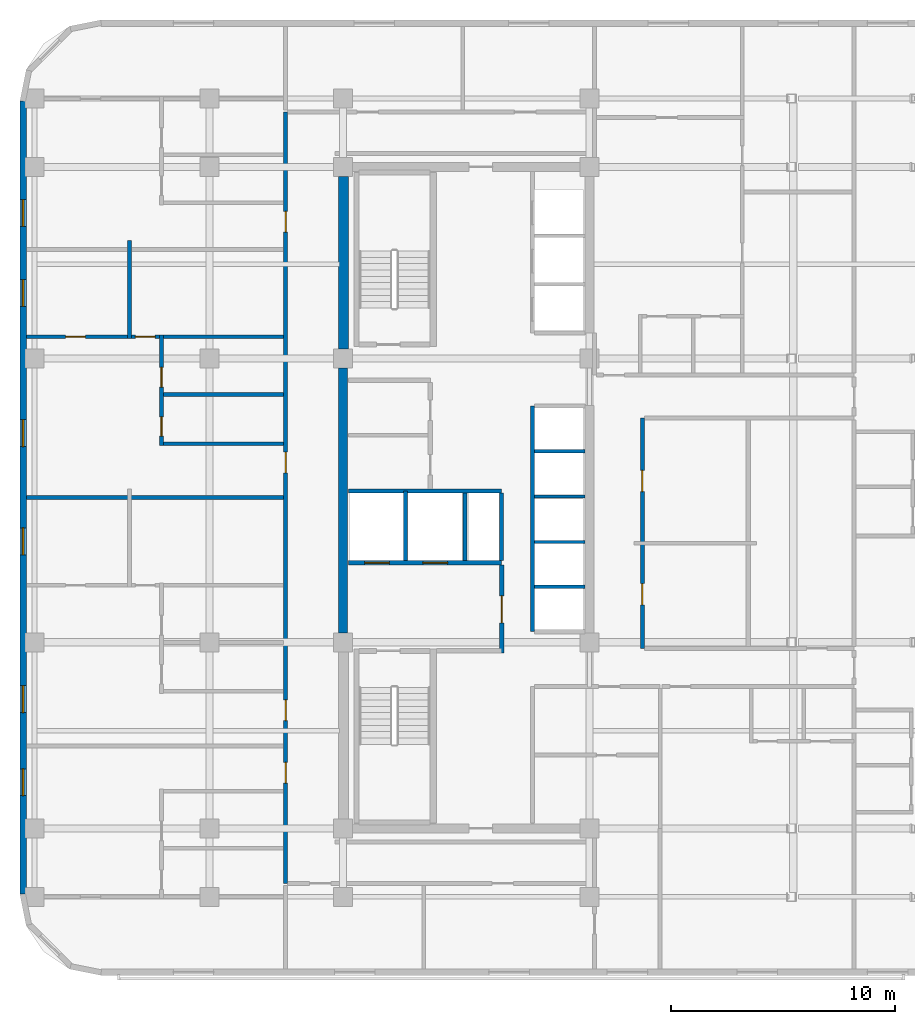
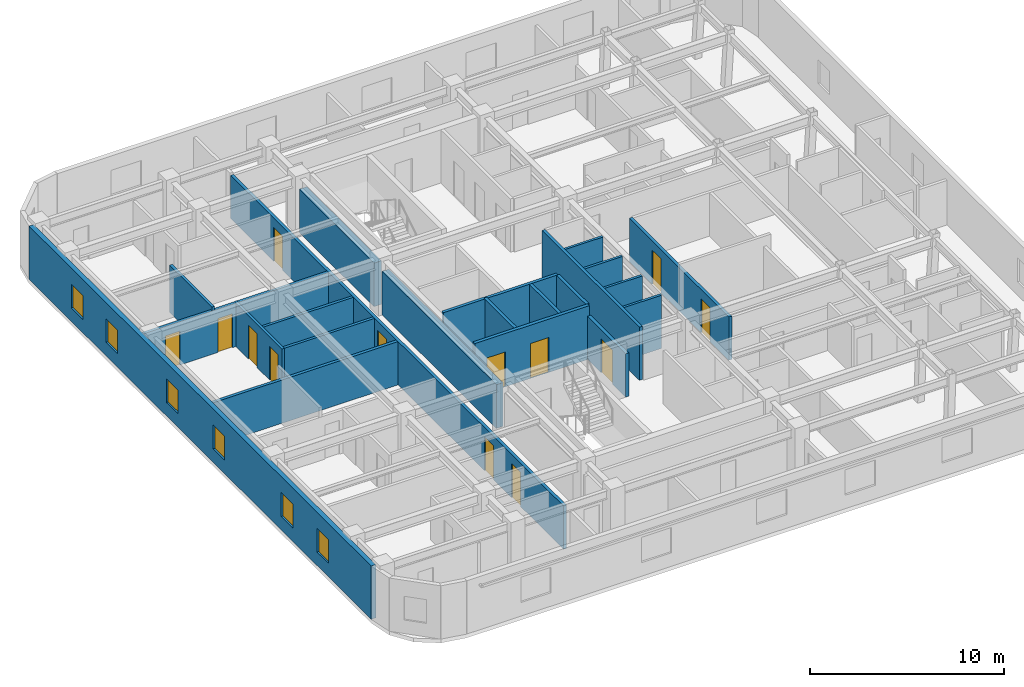
# One storey, part 4 of 11: 22 walls, 13 doors, 6 windows, 19 openings.
"""IFC4 building model written with IfcOpenShell, lengths in metres."""

import ifcopenshell
import ifcopenshell.guid

model = None  # the IFC model being written
_history = None  # IfcOwnerHistory: only IFC2X3 demands one
_inside = {}  # id of a spatial element -> (the spatial element, [elements in it])
_under = {}  # id of a project, library or spatial element -> (it, [spatial elements below it])
_declared = {}  # id of a project -> (the project, [libraries it declares])
_typed = {}  # id of a type object -> (the type object, [elements of that type])
_made_of = {}  # id of a material, layer set ... -> (it, [elements and type objects made of it])


def new_model(schema):
    """Start an empty IFC model of exactly this schema.

    Asked for "IFC4X3", IfcOpenShell would pick the latest addendum, in which some entities
    have other attributes; the version numbers below select the first issue.
    IFC2X3 requires an IfcOwnerHistory on every rooted entity: one is made here for all.
    """
    global model, _history
    if schema == "IFC4X3":
        model = ifcopenshell.file(schema_version=(4, 3, 0, 0))
    else:
        model = ifcopenshell.file(schema=schema)
    _inside.clear()
    _under.clear()
    _declared.clear()
    _typed.clear()
    _made_of.clear()
    _history = None
    if model.schema == "IFC2X3":
        org = make("IfcOrganization", Name="unknown")
        user = make(
            "IfcPersonAndOrganization",
            ThePerson=make("IfcPerson", FamilyName="unknown"),
            TheOrganization=org,
        )
        app = make(
            "IfcApplication",
            ApplicationDeveloper=org,
            Version="unknown",
            ApplicationFullName="unknown",
            ApplicationIdentifier="unknown",
        )
        _history = make(
            "IfcOwnerHistory",
            OwningUser=user,
            OwningApplication=app,
            ChangeAction="ADDED",
            CreationDate=0,
        )
    return model


def make(cls, **values):
    """One entity of the class cls with the attributes given. An attribute that is None is left unset."""
    return model.create_entity(
        cls, **{name: value for name, value in values.items() if value is not None}
    )


def rooted(cls, **values):
    """An entity with a GlobalId (a new one), such as an element, a storey or a relation."""
    return make(cls, GlobalId=ifcopenshell.guid.new(), OwnerHistory=_history, **values)


def si_unit(unit_type, name, prefix=None):
    """IfcSIUnit, for example si_unit("LENGTHUNIT", "METRE", prefix="MILLI")."""
    return make("IfcSIUnit", UnitType=unit_type, Prefix=prefix, Name=name)


def assignment(units):
    """IfcUnitAssignment: the units of a project."""
    return None if units is None else make("IfcUnitAssignment", Units=units)


def point(xyz):
    """IfcCartesianPoint."""
    return None if xyz is None else make("IfcCartesianPoint", Coordinates=xyz)


def direction(xyz):
    """IfcDirection."""
    return None if xyz is None else make("IfcDirection", DirectionRatios=xyz)


def frame(location, z_axis=None, x_axis=None):
    """IfcAxis2Placement3D, a coordinate frame: its origin and axes. An axis left out is left unset."""
    return make(
        "IfcAxis2Placement3D",
        Location=point(location),
        Axis=direction(z_axis),
        RefDirection=direction(x_axis),
    )


def frame_2d(location, x_axis=None):
    """IfcAxis2Placement2D, a coordinate frame in the plane: its origin and x axis."""
    return make(
        "IfcAxis2Placement2D", Location=point(location), RefDirection=direction(x_axis)
    )


def origin():
    """The frame at (0, 0, 0) with its axes left unset."""
    return frame((0.0, 0.0, 0.0))


def place(relative_to, where):
    """IfcLocalPlacement: puts the frame where relative to a parent placement (None: the world)."""
    return make(
        "IfcLocalPlacement", PlacementRelTo=relative_to, RelativePlacement=where
    )


def context(
    kind, dimensions, precision=None, world=None, true_north=None, identifier=None
):
    """IfcGeometricRepresentationContext, for example the 3D "Model" context."""
    return make(
        "IfcGeometricRepresentationContext",
        ContextIdentifier=identifier,
        ContextType=kind,
        CoordinateSpaceDimension=dimensions,
        Precision=precision,
        WorldCoordinateSystem=world,
        TrueNorth=true_north,
    )


def subcontext(parent, identifier, kind, view, scale=None):
    """IfcGeometricRepresentationSubContext, for example "Body" below "Model"."""
    return make(
        "IfcGeometricRepresentationSubContext",
        ContextIdentifier=identifier,
        ContextType=kind,
        ParentContext=parent,
        TargetScale=scale,
        TargetView=view,
    )


def project(units=None, contexts=None):
    """IfcProject with its units and contexts."""
    return rooted(
        "IfcProject",
        Name="project",
        RepresentationContexts=contexts,
        UnitsInContext=assignment(units),
    )


def spatial(cls, under=None, at=None, **own):
    """A site, building, storey or space (cls), placed at a placement, below another one or the project."""
    s = rooted(cls, ObjectPlacement=at, **own)
    if under is not None:
        _under.setdefault(under.id(), (under, []))[1].append(s)
    return s


def profile(cls, at=None, kind="AREA", **sizes):
    """A parametric profile (cls). Its sizes go by their IFC names, for example OverallWidth=200.0."""
    return make(cls, ProfileType=kind, Position=at, **sizes)


def rectangle(**sizes):
    """IfcRectangleProfileDef."""
    return profile("IfcRectangleProfileDef", **sizes)


def extrude(swept, where, along, depth):
    """IfcExtrudedAreaSolid: the profile swept, set in the frame where, extruded along a direction by depth."""
    return make(
        "IfcExtrudedAreaSolid",
        SweptArea=swept,
        Position=where,
        ExtrudedDirection=direction(along),
        Depth=depth,
    )


def shape(context_of_items, identifier, shape_type, items):
    """IfcShapeRepresentation: the items that make up one representation, for example the "Body"."""
    return make(
        "IfcShapeRepresentation",
        ContextOfItems=context_of_items,
        RepresentationIdentifier=identifier,
        RepresentationType=shape_type,
        Items=items,
    )


def material(Name=None, Category=None):
    """IfcMaterial."""
    return make("IfcMaterial", Name=Name, Category=Category)


def layer(
    of_material, thickness, ventilated=None, Name=None, Category=None, Priority=None
):
    """IfcMaterialLayer: one layer of a wall or slab, of a material (None: an air gap)."""
    return make(
        "IfcMaterialLayer",
        Material=of_material,
        LayerThickness=thickness,
        IsVentilated=ventilated,
        Name=Name,
        Category=Category,
        Priority=Priority,
    )


def layer_set(layers, Name=None):
    """IfcMaterialLayerSet."""
    return make("IfcMaterialLayerSet", MaterialLayers=layers, LayerSetName=Name)


def made_of(thing, what):
    """Note that an element or type object is made of a material, layer set ...; save() writes the relation."""
    if what is not None:
        _made_of.setdefault(what.id(), (what, []))[1].append(thing)
    return thing


def type_object(cls, material=None, **own):
    """A type object (cls), such as IfcWallType, which elements share."""
    return made_of(rooted(cls, **own), material)


def element(
    cls,
    number,
    at=None,
    inside=None,
    cuts=None,
    type_object=None,
    material=None,
    context=None,
    identifier="Body",
    shape_type=None,
    held_by="IfcProductDefinitionShape",
    body=None,
    shapes=None,
    **own,
):
    """One element of the class cls, such as IfcWall. Its Tag is "e" and its number.

    at: its placement. inside: the storey or other place that contains it. cuts: it is an
    opening in that element (IfcRelVoidsElement). A single representation is given by context,
    identifier, shape_type and body (its items); several are given by shapes. held_by: the class
    of the entity that holds the representations. save() writes the other relations.
    """
    e = rooted(cls, Tag="e%d" % number, ObjectPlacement=at, **own)
    if body is not None:
        shapes = [shape(context, identifier, shape_type, body)]
    if shapes is not None:
        e.Representation = make(held_by, Representations=shapes)
    if inside is not None:
        _inside.setdefault(inside.id(), (inside, []))[1].append(e)
    if cuts is not None:
        rooted(
            "IfcRelVoidsElement", RelatingBuildingElement=cuts, RelatedOpeningElement=e
        )
    if type_object is not None:
        _typed.setdefault(type_object.id(), (type_object, []))[1].append(e)
    return made_of(e, material)


def fill(opening, filler):
    """IfcRelFillsElement: the door or window that sits in an opening."""
    return rooted(
        "IfcRelFillsElement",
        RelatingOpeningElement=opening,
        RelatedBuildingElement=filler,
    )


def aggregate(whole, parts):
    """IfcRelAggregates: a whole, such as a stair, and the parts it consists of."""
    return rooted("IfcRelAggregates", RelatingObject=whole, RelatedObjects=parts)


def save(model, path):
    """Write the relations noted so far, then the file.

    IfcRelAggregates (storeys below a building ...), IfcRelContainedInSpatialStructure (elements
    in a storey), IfcRelDefinesByType, IfcRelAssociatesMaterial and IfcRelDeclares: one each for
    every whole, place, type object, material and project.
    """
    for whole, parts in _under.values():
        aggregate(whole, parts)
    for where, things in _inside.values():
        rooted(
            "IfcRelContainedInSpatialStructure",
            RelatedElements=things,
            RelatingStructure=where,
        )
    for kind, things in _typed.values():
        rooted("IfcRelDefinesByType", RelatedObjects=things, RelatingType=kind)
    for what, things in _made_of.values():
        rooted("IfcRelAssociatesMaterial", RelatedObjects=things, RelatingMaterial=what)
    for by, libraries in _declared.values():
        rooted("IfcRelDeclares", RelatingContext=by, RelatedDefinitions=libraries)
    model.write(path)


model = new_model("IFC4")

# Units and contexts
model_context = context("Model", 3, precision=1e-05, world=origin(), true_north=direction((0.0, 1.0)))
body_context = subcontext(model_context, "Body", "Model", "MODEL_VIEW")
ifc_project = project(units=[si_unit("LENGTHUNIT", "METRE"), si_unit("AREAUNIT", "SQUARE_METRE"), si_unit("VOLUMEUNIT", "CUBIC_METRE"), si_unit("PLANEANGLEUNIT", "RADIAN"), si_unit("MASSUNIT", "GRAM", prefix="KILO")], contexts=[model_context])

# Site, building, storey
site_placement = place(None, origin())
site = spatial("IfcSite", under=ifc_project, at=site_placement, CompositionType="ELEMENT")
building_placement = place(site_placement, origin())
building = spatial("IfcBuilding", under=site, at=building_placement, Name="Ochreholt Gables", CompositionType="ELEMENT")
storey_placement = place(building_placement, frame((0.0, 0.0, 121.199951171875)))
storey = spatial("IfcBuildingStorey", under=building, at=storey_placement, Name="L31", CompositionType="ELEMENT", Elevation=121.199951171875)

# Walls
ifc_material_1 = material(Name="Concrete 60 MPa", Category="concrete")
ifc_layer_1 = layer(ifc_material_1, 0.39990234375, Name="Concrete 60 MPa")
ifc_layer_set_1 = layer_set([ifc_layer_1], Name="Concrete 60 MPa")
wall_type_1 = type_object("IfcWallType", Name="WALL-CSW-400", PredefinedType="SHEAR", material=ifc_layer_set_1)
wall_1_placement = place(storey_placement, frame((24.199951171875, 17.97509765625, 0.0), z_axis=(0.0, 0.0, 1.0), x_axis=(0.0, 1.0, 0.0)))
element("IfcWall", 1, at=wall_1_placement, inside=storey, type_object=wall_type_1, Name="L31 Core West Shear Wall WM", PredefinedType="SHEAR", context=body_context, shape_type="SweptSolid", body=[
    extrude(rectangle(XDim=11.7998046875, YDim=0.39990234375, at=frame_2d((5.89990234375, 0.0))), origin(), (0.0, 0.0, 1.0), 2.7490234375),
])
ifc_layer_2 = layer(ifc_material_1, 0.449951171875, Name="Concrete 60 MPa")
ifc_layer_set_2 = layer_set([ifc_layer_2], Name="Concrete 60 MPa")
wall_type_2 = type_object("IfcWallType", Name="WALL-CSW-450", PredefinedType="SHEAR", material=ifc_layer_set_2)
wall_2_placement = place(storey_placement, frame((24.22509765625, 30.625, 0.0), z_axis=(0.0, 0.0, 1.0), x_axis=(0.0, 1.0, 0.0)))
element("IfcWall", 2, at=wall_2_placement, inside=storey, type_object=wall_type_2, Name="L31 Core West Shear Wall WN", PredefinedType="SHEAR", context=body_context, shape_type="SweptSolid", body=[
    extrude(rectangle(XDim=7.699951171875, YDim=0.449951171875, at=frame_2d((3.85009765625, 0.0))), origin(), (0.0, 0.0, 1.0), 2.7490234375),
])

# Wall, openings, windows
ifc_material_2 = material(Name="Precast concrete 40 MPa", Category="concrete")
ifc_layer_3 = layer(ifc_material_2, 0.280029296875, Name="Precast concrete 40 MPa")
ifc_layer_set_3 = layer_set([ifc_layer_3], Name="Precast concrete 40 MPa")
wall_type_3 = type_object("IfcWallType", Name="WALL-EXT-280", PredefinedType="SOLIDWALL", material=ifc_layer_set_3)
wall_3_placement = place(storey_placement, frame((9.93994140625, 41.679931640625, 0.0), z_axis=(0.0, 0.0, 1.0), x_axis=(0.0, -1.0, 0.0)))
wall_3 = element("IfcWall", 3, at=wall_3_placement, inside=storey, type_object=wall_type_3, Name="L31 West Exterior Wall", PredefinedType="SOLIDWALL", context=body_context, shape_type="SweptSolid", body=[
    extrude(rectangle(XDim=35.35986328125, YDim=0.280029296875, at=frame_2d((17.679931640625, 0.0))), origin(), (0.0, 0.0, 1.0), 3.360107421875),
])
opening_1_placement = place(wall_3_placement, frame((29.77294921875, 0.0, 0.85009765625)))
opening_1 = element("IfcOpeningElement", 4, at=opening_1_placement, cuts=wall_3, Name="Opening WN-3", PredefinedType="OPENING", context=body_context, shape_type="SweptSolid", body=[
    extrude(rectangle(XDim=1.199951171875, YDim=1.5, at=frame_2d((0.60009765625, 0.75))), frame((0.0, 0.14990234375, 0.0), z_axis=(0.0, -1.0, 0.0), x_axis=(1.0, 0.0, 0.0)), (0.0, 0.0, 1.0), 0.300048828125),
])
opening_2_placement = place(wall_3_placement, frame((26.06298828125, 0.0, 0.85009765625)))
opening_2 = element("IfcOpeningElement", 5, at=opening_2_placement, cuts=wall_3, Name="Opening WN-3", PredefinedType="OPENING", context=body_context, shape_type="SweptSolid", body=[
    extrude(rectangle(XDim=1.199951171875, YDim=1.5, at=frame_2d((0.60009765625, 0.75))), frame((0.0, 0.14990234375, 0.0), z_axis=(0.0, -1.0, 0.0), x_axis=(1.0, 0.0, 0.0)), (0.0, 0.0, 1.0), 0.300048828125),
])
opening_3_placement = place(wall_3_placement, frame((19.03173828125, 0.0, 0.85009765625)))
opening_3 = element("IfcOpeningElement", 6, at=opening_3_placement, cuts=wall_3, Name="Opening WN-3", PredefinedType="OPENING", context=body_context, shape_type="SweptSolid", body=[
    extrude(rectangle(XDim=1.199951171875, YDim=1.5, at=frame_2d((0.60009765625, 0.75))), frame((0.0, 0.14990234375, 0.0), z_axis=(0.0, -1.0, 0.0), x_axis=(1.0, 0.0, 0.0)), (0.0, 0.0, 1.0), 0.300048828125),
])
opening_4_placement = place(wall_3_placement, frame((14.199951171875, 0.0, 0.85009765625)))
opening_4 = element("IfcOpeningElement", 7, at=opening_4_placement, cuts=wall_3, Name="Opening WN-3", PredefinedType="OPENING", context=body_context, shape_type="SweptSolid", body=[
    extrude(rectangle(XDim=1.199951171875, YDim=1.5, at=frame_2d((0.60009765625, 0.75))), frame((0.0, 0.14990234375, 0.0), z_axis=(0.0, -1.0, 0.0), x_axis=(1.0, 0.0, 0.0)), (0.0, 0.0, 1.0), 0.300048828125),
])
opening_5_placement = place(wall_3_placement, frame((7.955810546875, 0.0, 0.85009765625)))
opening_5 = element("IfcOpeningElement", 8, at=opening_5_placement, cuts=wall_3, Name="Opening WN-3", PredefinedType="OPENING", context=body_context, shape_type="SweptSolid", body=[
    extrude(rectangle(XDim=1.199951171875, YDim=1.5, at=frame_2d((0.60009765625, 0.75))), frame((0.0, 0.14990234375, 0.0), z_axis=(0.0, -1.0, 0.0), x_axis=(1.0, 0.0, 0.0)), (0.0, 0.0, 1.0), 0.300048828125),
])
opening_6_placement = place(wall_3_placement, frame((4.386962890625, 0.0, 0.85009765625)))
opening_6 = element("IfcOpeningElement", 9, at=opening_6_placement, cuts=wall_3, Name="Opening WN-3", PredefinedType="OPENING", context=body_context, shape_type="SweptSolid", body=[
    extrude(rectangle(XDim=1.199951171875, YDim=1.5, at=frame_2d((0.60009765625, 0.75))), frame((0.0, 0.14990234375, 0.0), z_axis=(0.0, -1.0, 0.0), x_axis=(1.0, 0.0, 0.0)), (0.0, 0.0, 1.0), 0.300048828125),
])
ifc_material_3 = material(Name="Triple-Glazed Thermally Broken Aluminium Window", Category="aluminium")
window_type = type_object("IfcWindowType", Name="WIN-RES-1200", PartitioningType="SINGLE_PANEL", PredefinedType="WINDOW", material=ifc_material_3)
window_1_placement = place(opening_1_placement, origin())
window_1 = element("IfcWindow", 10, at=window_1_placement, inside=storey, type_object=window_type, Name="L31 Window W-EXT-W-L31-1", OverallHeight=1.5, OverallWidth=1.199951171875, PartitioningType="SINGLE_PANEL", PredefinedType="WINDOW", context=body_context, shape_type="SweptSolid", body=[
    extrude(rectangle(XDim=1.199951171875, YDim=1.5, at=frame_2d((0.60009765625, 0.75))), frame((0.0, 0.030029296875, 0.0), z_axis=(0.0, -1.0, 0.0), x_axis=(1.0, 0.0, 0.0)), (0.0, 0.0, 1.0), 0.06005859375),
])
fill(opening_1, window_1)
window_2_placement = place(opening_2_placement, origin())
window_2 = element("IfcWindow", 11, at=window_2_placement, inside=storey, type_object=window_type, Name="L31 Window W-EXT-W-L31-2", OverallHeight=1.5, OverallWidth=1.199951171875, PartitioningType="SINGLE_PANEL", PredefinedType="WINDOW", context=body_context, shape_type="SweptSolid", body=[
    extrude(rectangle(XDim=1.199951171875, YDim=1.5, at=frame_2d((0.60009765625, 0.75))), frame((0.0, 0.030029296875, 0.0), z_axis=(0.0, -1.0, 0.0), x_axis=(1.0, 0.0, 0.0)), (0.0, 0.0, 1.0), 0.06005859375),
])
fill(opening_2, window_2)
window_3_placement = place(opening_3_placement, origin())
window_3 = element("IfcWindow", 12, at=window_3_placement, inside=storey, type_object=window_type, Name="L31 Window W-EXT-W-L31-3", OverallHeight=1.5, OverallWidth=1.199951171875, PartitioningType="SINGLE_PANEL", PredefinedType="WINDOW", context=body_context, shape_type="SweptSolid", body=[
    extrude(rectangle(XDim=1.199951171875, YDim=1.5, at=frame_2d((0.60009765625, 0.75))), frame((0.0, 0.030029296875, 0.0), z_axis=(0.0, -1.0, 0.0), x_axis=(1.0, 0.0, 0.0)), (0.0, 0.0, 1.0), 0.06005859375),
])
fill(opening_3, window_3)
window_4_placement = place(opening_4_placement, origin())
window_4 = element("IfcWindow", 13, at=window_4_placement, inside=storey, type_object=window_type, Name="L31 Window W-EXT-W-L31-4", OverallHeight=1.5, OverallWidth=1.199951171875, PartitioningType="SINGLE_PANEL", PredefinedType="WINDOW", context=body_context, shape_type="SweptSolid", body=[
    extrude(rectangle(XDim=1.199951171875, YDim=1.5, at=frame_2d((0.60009765625, 0.75))), frame((0.0, 0.030029296875, 0.0), z_axis=(0.0, -1.0, 0.0), x_axis=(1.0, 0.0, 0.0)), (0.0, 0.0, 1.0), 0.06005859375),
])
fill(opening_4, window_4)
window_5_placement = place(opening_5_placement, origin())
window_5 = element("IfcWindow", 14, at=window_5_placement, inside=storey, type_object=window_type, Name="L31 Window W-EXT-W-L31-5", OverallHeight=1.5, OverallWidth=1.199951171875, PartitioningType="SINGLE_PANEL", PredefinedType="WINDOW", context=body_context, shape_type="SweptSolid", body=[
    extrude(rectangle(XDim=1.199951171875, YDim=1.5, at=frame_2d((0.60009765625, 0.75))), frame((0.0, 0.030029296875, 0.0), z_axis=(0.0, -1.0, 0.0), x_axis=(1.0, 0.0, 0.0)), (0.0, 0.0, 1.0), 0.06005859375),
])
fill(opening_5, window_5)
window_6_placement = place(opening_6_placement, origin())
window_6 = element("IfcWindow", 15, at=window_6_placement, inside=storey, type_object=window_type, Name="L31 Window W-EXT-W-L31-6", OverallHeight=1.5, OverallWidth=1.199951171875, PartitioningType="SINGLE_PANEL", PredefinedType="WINDOW", context=body_context, shape_type="SweptSolid", body=[
    extrude(rectangle(XDim=1.199951171875, YDim=1.5, at=frame_2d((0.60009765625, 0.75))), frame((0.0, 0.030029296875, 0.0), z_axis=(0.0, -1.0, 0.0), x_axis=(1.0, 0.0, 0.0)), (0.0, 0.0, 1.0), 0.06005859375),
])
fill(opening_6, window_6)

# Wall, openings, doors
ifc_material_4 = material(Name="Concrete 40 MPa", Category="concrete")
ifc_layer_4 = layer(ifc_material_4, 0.199951171875, Name="Concrete 40 MPa")
ifc_layer_set_4 = layer_set([ifc_layer_4], Name="Concrete 40 MPa")
wall_type_4 = type_object("IfcWallType", Name="WALL-INT-CF200", PredefinedType="STANDARD", material=ifc_layer_set_4)
wall_4_placement = place(storey_placement, frame((24.449951171875, 21.090087890625, 0.0), z_axis=(0.0, 0.0, 1.0), x_axis=(1.0, 0.0, 0.0)))
wall_4 = element("IfcWall", 16, at=wall_4_placement, inside=storey, type_object=wall_type_4, Name="L31 Interior Wall WI-FFN-L31", PredefinedType="STANDARD", context=body_context, shape_type="SweptSolid", body=[
    extrude(rectangle(XDim=6.830078125, YDim=0.199951171875, at=frame_2d((3.4150390625, 0.0))), origin(), (0.0, 0.0, 1.0), 3.360107421875),
])
opening_7_placement = place(wall_4_placement, frame((0.719970703125, 0.0, 0.0)))
opening_7 = element("IfcOpeningElement", 17, at=opening_7_placement, cuts=wall_4, Name="Opening LD-FF", PredefinedType="OPENING", context=body_context, shape_type="SweptSolid", body=[
    extrude(rectangle(XDim=1.10009765625, YDim=2.199951171875, at=frame_2d((0.550048828125, 1.10009765625))), frame((0.0, 0.10986328125, 0.0), z_axis=(0.0, -1.0, 0.0), x_axis=(1.0, 0.0, 0.0)), (0.0, 0.0, 1.0), 0.219970703125),
])
opening_8_placement = place(wall_4_placement, frame((3.320068359375, 0.0, 0.0)))
opening_8 = element("IfcOpeningElement", 18, at=opening_8_placement, cuts=wall_4, Name="Opening LD-FF", PredefinedType="OPENING", context=body_context, shape_type="SweptSolid", body=[
    extrude(rectangle(XDim=1.10009765625, YDim=2.199951171875, at=frame_2d((0.550048828125, 1.10009765625))), frame((0.0, 0.10986328125, 0.0), z_axis=(0.0, -1.0, 0.0), x_axis=(1.0, 0.0, 0.0)), (0.0, 0.0, 1.0), 0.219970703125),
])
ifc_material_5 = material(Name="Stainless Steel", Category="steel")
door_type_1 = type_object("IfcDoorType", Name="DR-LFT-FF1100", OperationType="NOTDEFINED", PredefinedType="DOOR", material=ifc_material_5)
door_1_placement = place(opening_7_placement, origin())
door_1 = element("IfcDoor", 19, at=door_1_placement, inside=storey, type_object=door_type_1, Name="L31 Door LD-FF1-L31", OperationType="SLIDING_TO_LEFT", OverallHeight=2.199951171875, OverallWidth=1.10009765625, PredefinedType="DOOR", context=body_context, shape_type="SweptSolid", body=[
    extrude(rectangle(XDim=1.10009765625, YDim=2.199951171875, at=frame_2d((0.550048828125, 1.10009765625))), frame((0.0, 0.02490234375, 0.0), z_axis=(0.0, -1.0, 0.0), x_axis=(1.0, 0.0, 0.0)), (0.0, 0.0, 1.0), 0.050048828125),
])
fill(opening_7, door_1)
door_2_placement = place(opening_8_placement, origin())
door_2 = element("IfcDoor", 20, at=door_2_placement, inside=storey, type_object=door_type_1, Name="L31 Door LD-FF2-L31", OperationType="SLIDING_TO_LEFT", OverallHeight=2.199951171875, OverallWidth=1.10009765625, PredefinedType="DOOR", context=body_context, shape_type="SweptSolid", body=[
    extrude(rectangle(XDim=1.10009765625, YDim=2.199951171875, at=frame_2d((0.550048828125, 1.10009765625))), frame((0.0, 0.02490234375, 0.0), z_axis=(0.0, -1.0, 0.0), x_axis=(1.0, 0.0, 0.0)), (0.0, 0.0, 1.0), 0.050048828125),
])
fill(opening_8, door_2)

# Wall, opening, door
wall_5_placement = place(storey_placement, frame((31.280029296875, 17.070068359375, 0.0), z_axis=(0.0, 0.0, 1.0), x_axis=(0.0, 1.0, 0.0)))
wall_5 = element("IfcWall", 21, at=wall_5_placement, inside=storey, type_object=wall_type_4, Name="L31 Interior Wall WI-FFE-L31", PredefinedType="STANDARD", context=body_context, shape_type="SweptSolid", body=[
    extrude(rectangle(XDim=3.919921875, YDim=0.199951171875, at=frame_2d((1.9599609375, 0.0))), origin(), (0.0, 0.0, 1.0), 2.73095703125),
])
opening_9_placement = place(wall_5_placement, frame((1.35009765625, 0.0, 0.0)))
opening_9 = element("IfcOpeningElement", 22, at=opening_9_placement, cuts=wall_5, Name="Opening D-FFL", PredefinedType="OPENING", context=body_context, shape_type="SweptSolid", body=[
    extrude(rectangle(XDim=1.199951171875, YDim=2.14990234375, at=frame_2d((0.60009765625, 1.074951171875))), frame((0.0, 0.10986328125, 0.0), z_axis=(0.0, -1.0, 0.0), x_axis=(1.0, 0.0, 0.0)), (0.0, 0.0, 1.0), 0.219970703125),
])
ifc_material_6 = material(Name="Hollow Metal Steel", Category="steel")
door_type_2 = type_object("IfcDoorType", Name="DR-INT-FFL1200", OperationType="NOTDEFINED", PredefinedType="DOOR", material=ifc_material_6)
door_3_placement = place(opening_9_placement, origin())
door_3 = element("IfcDoor", 23, at=door_3_placement, inside=storey, type_object=door_type_2, Name="L31 Door D-FFL-L31", OperationType="SINGLE_SWING_LEFT", OverallHeight=2.14990234375, OverallWidth=1.199951171875, PredefinedType="DOOR", context=body_context, shape_type="SweptSolid", body=[
    extrude(rectangle(XDim=1.199951171875, YDim=2.14990234375, at=frame_2d((0.60009765625, 1.074951171875))), frame((0.0, 0.02490234375, 0.0), z_axis=(0.0, -1.0, 0.0), x_axis=(1.0, 0.0, 0.0)), (0.0, 0.0, 1.0), 0.050048828125),
])
fill(opening_9, door_3)

# Wall, openings, doors
ifc_material_7 = material(Name="Fire-Rated Gypsum Acoustic Partition", Category="gypsum")
ifc_layer_5 = layer(ifc_material_7, 0.179931640625, Name="Fire-Rated Gypsum Acoustic Partition")
ifc_layer_set_5 = layer_set([ifc_layer_5], Name="Fire-Rated Gypsum Acoustic Partition")
wall_type_5 = type_object("IfcWallType", Name="WALL-INT-CR180", PredefinedType="STANDARD", material=ifc_layer_set_5)
wall_6_placement = place(storey_placement, frame((37.550048828125, 17.280029296875, 0.0), z_axis=(0.0, 0.0, 1.0), x_axis=(0.0, 1.0, 0.0)))
wall_6 = element("IfcWall", 24, at=wall_6_placement, inside=storey, type_object=wall_type_5, Name="L31 Interior Wall WI-C2EM-L31", PredefinedType="STANDARD", context=body_context, shape_type="SweptSolid", body=[
    extrude(rectangle(XDim=10.280029296875, YDim=0.179931640625, at=frame_2d((5.14013671875, 0.0))), origin(), (0.0, 0.0, 1.0), 2.73095703125),
])
opening_10_placement = place(wall_6_placement, frame((1.93994140625, 0.0, 0.0)))
opening_10 = element("IfcOpeningElement", 25, at=opening_10_placement, cuts=wall_6, Name="Opening D-GN1", PredefinedType="OPENING", context=body_context, shape_type="SweptSolid", body=[
    extrude(rectangle(XDim=0.949951171875, YDim=2.14990234375, at=frame_2d((0.47509765625, 1.074951171875))), frame((0.0, 0.099853515625, 0.0), z_axis=(0.0, -1.0, 0.0), x_axis=(1.0, 0.0, 0.0)), (0.0, 0.0, 1.0), 0.199951171875),
])
opening_11_placement = place(wall_6_placement, frame((6.989990234375, 0.0, 0.0)))
opening_11 = element("IfcOpeningElement", 26, at=opening_11_placement, cuts=wall_6, Name="Opening D-GN1", PredefinedType="OPENING", context=body_context, shape_type="SweptSolid", body=[
    extrude(rectangle(XDim=0.949951171875, YDim=2.14990234375, at=frame_2d((0.47509765625, 1.074951171875))), frame((0.0, 0.099853515625, 0.0), z_axis=(0.0, -1.0, 0.0), x_axis=(1.0, 0.0, 0.0)), (0.0, 0.0, 1.0), 0.199951171875),
])
ifc_material_8 = material(Name="Engineered Oak Timber", Category="wood")
door_type_3 = type_object("IfcDoorType", Name="DR-INT-GEN950", OperationType="NOTDEFINED", PredefinedType="DOOR", material=ifc_material_8)
door_4_placement = place(opening_10_placement, origin())
door_4 = element("IfcDoor", 27, at=door_4_placement, inside=storey, type_object=door_type_3, Name="L31 Door D-U-L31M1A-ENT", OperationType="SINGLE_SWING_RIGHT", OverallHeight=2.14990234375, OverallWidth=0.949951171875, PredefinedType="DOOR", context=body_context, shape_type="SweptSolid", body=[
    extrude(rectangle(XDim=0.949951171875, YDim=2.14990234375, at=frame_2d((0.47509765625, 1.074951171875))), frame((0.0, 0.02490234375, 0.0), z_axis=(0.0, -1.0, 0.0), x_axis=(1.0, 0.0, 0.0)), (0.0, 0.0, 1.0), 0.050048828125),
])
fill(opening_10, door_4)
door_5_placement = place(opening_11_placement, origin())
door_5 = element("IfcDoor", 28, at=door_5_placement, inside=storey, type_object=door_type_3, Name="L31 Door D-U-L31M1B-ENT", OperationType="SINGLE_SWING_LEFT", OverallHeight=2.14990234375, OverallWidth=0.949951171875, PredefinedType="DOOR", context=body_context, shape_type="SweptSolid", body=[
    extrude(rectangle(XDim=0.949951171875, YDim=2.14990234375, at=frame_2d((0.47509765625, 1.074951171875))), frame((0.0, 0.02490234375, 0.0), z_axis=(0.0, -1.0, 0.0), x_axis=(1.0, 0.0, 0.0)), (0.0, 0.0, 1.0), 0.050048828125),
])
fill(opening_11, door_5)

wall_7_placement = place(storey_placement, frame((21.64990234375, 6.800048828125, 0.0), z_axis=(0.0, 0.0, 1.0), x_axis=(0.0, 1.0, 0.0)))
wall_7 = element("IfcWall", 29, at=wall_7_placement, inside=storey, type_object=wall_type_5, Name="L31 Interior Wall WI-C2WCW-L31", PredefinedType="STANDARD", context=body_context, shape_type="SweptSolid", body=[
    extrude(rectangle(XDim=34.39990234375, YDim=0.179931640625, at=frame_2d((17.199951171875, 0.0))), origin(), (0.0, 0.0, 1.0), 2.73095703125),
])
opening_12_placement = place(wall_7_placement, frame((4.471923828125, 0.0, 0.0)))
opening_12 = element("IfcOpeningElement", 30, at=opening_12_placement, cuts=wall_7, Name="Opening D-UN1", PredefinedType="OPENING", context=body_context, shape_type="SweptSolid", body=[
    extrude(rectangle(XDim=0.919921875, YDim=2.14990234375, at=frame_2d((0.4599609375, 1.074951171875))), frame((0.0, 0.099853515625, 0.0), z_axis=(0.0, -1.0, 0.0), x_axis=(1.0, 0.0, 0.0)), (0.0, 0.0, 1.0), 0.199951171875),
])
opening_13_placement = place(wall_7_placement, frame((7.260986328125, 0.0, 0.0)))
opening_13 = element("IfcOpeningElement", 31, at=opening_13_placement, cuts=wall_7, Name="Opening D-UN1", PredefinedType="OPENING", context=body_context, shape_type="SweptSolid", body=[
    extrude(rectangle(XDim=0.919921875, YDim=2.14990234375, at=frame_2d((0.4599609375, 1.074951171875))), frame((0.0, 0.099853515625, 0.0), z_axis=(0.0, -1.0, 0.0), x_axis=(1.0, 0.0, 0.0)), (0.0, 0.0, 1.0), 0.199951171875),
])
opening_14_placement = place(wall_7_placement, frame((18.308349609375, 0.0, 0.0)))
opening_14 = element("IfcOpeningElement", 32, at=opening_14_placement, cuts=wall_7, Name="Opening D-UN1", PredefinedType="OPENING", context=body_context, shape_type="SweptSolid", body=[
    extrude(rectangle(XDim=0.919921875, YDim=2.14990234375, at=frame_2d((0.4599609375, 1.074951171875))), frame((0.0, 0.099853515625, 0.0), z_axis=(0.0, -1.0, 0.0), x_axis=(1.0, 0.0, 0.0)), (0.0, 0.0, 1.0), 0.199951171875),
])
opening_15_placement = place(wall_7_placement, frame((29.044921875, 0.0, 0.0)))
opening_15 = element("IfcOpeningElement", 33, at=opening_15_placement, cuts=wall_7, Name="Opening D-UN1", PredefinedType="OPENING", context=body_context, shape_type="SweptSolid", body=[
    extrude(rectangle(XDim=0.919921875, YDim=2.14990234375, at=frame_2d((0.4599609375, 1.074951171875))), frame((0.0, 0.099853515625, 0.0), z_axis=(0.0, -1.0, 0.0), x_axis=(1.0, 0.0, 0.0)), (0.0, 0.0, 1.0), 0.199951171875),
])
door_type_4 = type_object("IfcDoorType", Name="DR-INT-UNT920", OperationType="NOTDEFINED", PredefinedType="DOOR", material=ifc_material_8)
door_6_placement = place(opening_12_placement, origin())
door_6 = element("IfcDoor", 34, at=door_6_placement, inside=storey, type_object=door_type_4, Name="L31 Door D-U-L31W1-ENT", OperationType="SINGLE_SWING_RIGHT", OverallHeight=2.14990234375, OverallWidth=0.919921875, PredefinedType="DOOR", context=body_context, shape_type="SweptSolid", body=[
    extrude(rectangle(XDim=0.919921875, YDim=2.14990234375, at=frame_2d((0.4599609375, 1.074951171875))), frame((0.0, 0.02490234375, 0.0), z_axis=(0.0, -1.0, 0.0), x_axis=(1.0, 0.0, 0.0)), (0.0, 0.0, 1.0), 0.050048828125),
])
fill(opening_12, door_6)
door_7_placement = place(opening_13_placement, origin())
door_7 = element("IfcDoor", 35, at=door_7_placement, inside=storey, type_object=door_type_4, Name="L31 Door D-U-L31W2-ENT", OperationType="SINGLE_SWING_LEFT", OverallHeight=2.14990234375, OverallWidth=0.919921875, PredefinedType="DOOR", context=body_context, shape_type="SweptSolid", body=[
    extrude(rectangle(XDim=0.919921875, YDim=2.14990234375, at=frame_2d((0.4599609375, 1.074951171875))), frame((0.0, 0.02490234375, 0.0), z_axis=(0.0, -1.0, 0.0), x_axis=(1.0, 0.0, 0.0)), (0.0, 0.0, 1.0), 0.050048828125),
])
fill(opening_13, door_7)
door_8_placement = place(opening_14_placement, origin())
door_8 = element("IfcDoor", 36, at=door_8_placement, inside=storey, type_object=door_type_4, Name="L31 Door D-U-L31W3-ENT", OperationType="SINGLE_SWING_RIGHT", OverallHeight=2.14990234375, OverallWidth=0.919921875, PredefinedType="DOOR", context=body_context, shape_type="SweptSolid", body=[
    extrude(rectangle(XDim=0.919921875, YDim=2.14990234375, at=frame_2d((0.4599609375, 1.074951171875))), frame((0.0, 0.02490234375, 0.0), z_axis=(0.0, -1.0, 0.0), x_axis=(1.0, 0.0, 0.0)), (0.0, 0.0, 1.0), 0.050048828125),
])
fill(opening_14, door_8)
door_9_placement = place(opening_15_placement, origin())
door_9 = element("IfcDoor", 37, at=door_9_placement, inside=storey, type_object=door_type_4, Name="L31 Door D-U-L31W4-ENT", OperationType="SINGLE_SWING_LEFT", OverallHeight=2.14990234375, OverallWidth=0.919921875, PredefinedType="DOOR", context=body_context, shape_type="SweptSolid", body=[
    extrude(rectangle(XDim=0.919921875, YDim=2.14990234375, at=frame_2d((0.4599609375, 1.074951171875))), frame((0.0, 0.02490234375, 0.0), z_axis=(0.0, -1.0, 0.0), x_axis=(1.0, 0.0, 0.0)), (0.0, 0.0, 1.0), 0.050048828125),
])
fill(opening_15, door_9)

# Walls
ifc_material_9 = material(Name="Double-Stud Acoustic Demising Wall", Category="gypsum")
ifc_layer_6 = layer(ifc_material_9, 0.179931640625, Name="Double-Stud Acoustic Demising Wall")
ifc_layer_set_6 = layer_set([ifc_layer_6], Name="Double-Stud Acoustic Demising Wall")
wall_type_6 = type_object("IfcWallType", Name="WALL-INT-DM180", PredefinedType="PARTITIONING", material=ifc_layer_set_6)
wall_8_placement = place(storey_placement, frame((10.080078125, 24.0, 0.0), z_axis=(0.0, 0.0, 1.0), x_axis=(1.0, 0.0, 0.0)))
element("IfcWall", 38, at=wall_8_placement, inside=storey, type_object=wall_type_6, Name="L31 Interior Wall WI-C2UDW3-L31", PredefinedType="PARTITIONING", context=body_context, shape_type="SweptSolid", body=[
    extrude(rectangle(XDim=11.47998046875, YDim=0.179931640625, at=frame_2d((5.739990234375, 0.0))), origin(), (0.0, 0.0, 1.0), 2.73095703125),
])
ifc_material_10 = material(Name="Moisture-Resistant Plumbing Chase Wall", Category="gypsum")
ifc_layer_7 = layer(ifc_material_10, 0.159912109375, Name="Moisture-Resistant Plumbing Chase Wall")
ifc_layer_set_7 = layer_set([ifc_layer_7], Name="Moisture-Resistant Plumbing Chase Wall")
wall_type_7 = type_object("IfcWallType", Name="WALL-INT-PL160", PredefinedType="PLUMBINGWALL", material=ifc_layer_set_7)
wall_9_placement = place(storey_placement, frame((16.030029296875, 26.408447265625, 0.0), z_axis=(0.0, 0.0, 1.0), x_axis=(1.0, 0.0, 0.0)))
element("IfcWall", 39, at=wall_9_placement, inside=storey, type_object=wall_type_7, Name="L31 Interior Wall WU-L31W3-FYS", PredefinedType="PLUMBINGWALL", context=body_context, shape_type="SweptSolid", body=[
    extrude(rectangle(XDim=5.530029296875, YDim=0.159912109375, at=frame_2d((2.76513671875, 0.0))), origin(), (0.0, 0.0, 1.0), 2.73095703125),
])

# Wall, openings, doors
wall_10_placement = place(storey_placement, frame((16.110107421875, 26.318359375, 0.0), z_axis=(0.0, 0.0, 1.0), x_axis=(0.0, 1.0, 0.0)))
wall_10 = element("IfcWall", 40, at=wall_10_placement, inside=storey, type_object=wall_type_7, Name="L31 Interior Wall WU-L31W3-WX", PredefinedType="PLUMBINGWALL", context=body_context, shape_type="SweptSolid", body=[
    extrude(rectangle(XDim=4.944091796875, YDim=0.159912109375, at=frame_2d((2.47216796875, 0.0))), origin(), (0.0, 0.0, 1.0), 2.73095703125),
])
opening_16_placement = place(wall_10_placement, frame((0.419921875, 0.0, 0.0)))
opening_16 = element("IfcOpeningElement", 41, at=opening_16_placement, cuts=wall_10, Name="Opening D-BT1", PredefinedType="OPENING", context=body_context, shape_type="SweptSolid", body=[
    extrude(rectangle(XDim=0.860107421875, YDim=2.1201171875, at=frame_2d((0.43017578125, 1.06005859375))), frame((0.0, 0.08984375, 0.0), z_axis=(0.0, -1.0, 0.0), x_axis=(1.0, 0.0, 0.0)), (0.0, 0.0, 1.0), 0.179931640625),
])
opening_17_placement = place(wall_10_placement, frame((2.611328125, 0.0, 0.0)))
opening_17 = element("IfcOpeningElement", 42, at=opening_17_placement, cuts=wall_10, Name="Opening D-GN2", PredefinedType="OPENING", context=body_context, shape_type="SweptSolid", body=[
    extrude(rectangle(XDim=0.8798828125, YDim=2.1201171875, at=frame_2d((0.43994140625, 1.06005859375))), frame((0.0, 0.08984375, 0.0), z_axis=(0.0, -1.0, 0.0), x_axis=(1.0, 0.0, 0.0)), (0.0, 0.0, 1.0), 0.179931640625),
])
door_type_5 = type_object("IfcDoorType", Name="DR-INT-BTH860", OperationType="NOTDEFINED", PredefinedType="DOOR", material=ifc_material_8)
door_10_placement = place(opening_16_placement, origin())
door_10 = element("IfcDoor", 43, at=door_10_placement, inside=storey, type_object=door_type_5, Name="L31 Door D-U-L31W3-BTH", OperationType="SINGLE_SWING_LEFT", OverallHeight=2.1201171875, OverallWidth=0.860107421875, PredefinedType="DOOR", context=body_context, shape_type="SweptSolid", body=[
    extrude(rectangle(XDim=0.860107421875, YDim=2.1201171875, at=frame_2d((0.43017578125, 1.06005859375))), frame((0.0, 0.02490234375, 0.0), z_axis=(0.0, -1.0, 0.0), x_axis=(1.0, 0.0, 0.0)), (0.0, 0.0, 1.0), 0.050048828125),
])
fill(opening_16, door_10)
door_type_6 = type_object("IfcDoorType", Name="DR-INT-GEN880", OperationType="NOTDEFINED", PredefinedType="DOOR", material=ifc_material_8)
door_11_placement = place(opening_17_placement, origin())
door_11 = element("IfcDoor", 44, at=door_11_placement, inside=storey, type_object=door_type_6, Name="L31 Door D-U-L31W3-KIT", OperationType="SINGLE_SWING_RIGHT", OverallHeight=2.1201171875, OverallWidth=0.8798828125, PredefinedType="DOOR", context=body_context, shape_type="SweptSolid", body=[
    extrude(rectangle(XDim=0.8798828125, YDim=2.1201171875, at=frame_2d((0.43994140625, 1.06005859375))), frame((0.0, 0.02490234375, 0.0), z_axis=(0.0, -1.0, 0.0), x_axis=(1.0, 0.0, 0.0)), (0.0, 0.0, 1.0), 0.050048828125),
])
fill(opening_17, door_11)

# Wall
wall_11_placement = place(storey_placement, frame((16.18994140625, 28.599853515625, 0.0), z_axis=(0.0, 0.0, 1.0), x_axis=(1.0, 0.0, 0.0)))
element("IfcWall", 45, at=wall_11_placement, inside=storey, type_object=wall_type_7, Name="L31 Interior Wall WU-L31W3-WK", PredefinedType="PLUMBINGWALL", context=body_context, shape_type="SweptSolid", body=[
    extrude(rectangle(XDim=5.3701171875, YDim=0.159912109375, at=frame_2d((2.68505859375, 0.0))), origin(), (0.0, 0.0, 1.0), 2.73095703125),
])

# Wall, openings, doors
ifc_material_11 = material(Name="Gypsum Acoustic Stud Partition", Category="gypsum")
ifc_layer_8 = layer(ifc_material_11, 0.1650390625, Name="Gypsum Acoustic Stud Partition")
ifc_layer_set_8 = layer_set([ifc_layer_8], Name="Gypsum Acoustic Stud Partition")
wall_type_8 = type_object("IfcWallType", Name="WALL-INT-PT165", PredefinedType="PARTITIONING", material=ifc_layer_set_8)
wall_12_placement = place(storey_placement, frame((10.080078125, 31.17236328125, 0.0), z_axis=(0.0, 0.0, 1.0), x_axis=(1.0, 0.0, 0.0)))
wall_12 = element("IfcWall", 46, at=wall_12_placement, inside=storey, type_object=wall_type_8, Name="L31 Interior Wall WU-L31W3-MN", PredefinedType="PARTITIONING", context=body_context, shape_type="SweptSolid", body=[
    extrude(rectangle(XDim=11.47998046875, YDim=0.1650390625, at=frame_2d((5.739990234375, 0.0))), origin(), (0.0, 0.0, 1.0), 2.73095703125),
])
opening_18_placement = place(wall_12_placement, frame((1.75, 0.0, 0.0)))
opening_18 = element("IfcOpeningElement", 47, at=opening_18_placement, cuts=wall_12, Name="Opening D-BD2", PredefinedType="OPENING", context=body_context, shape_type="SweptSolid", body=[
    extrude(rectangle(XDim=0.8798828125, YDim=2.139892578125, at=frame_2d((0.43994140625, 1.06982421875))), frame((0.0, 0.092529296875, 0.0), z_axis=(0.0, -1.0, 0.0), x_axis=(1.0, 0.0, 0.0)), (0.0, 0.0, 1.0), 0.18505859375),
])
opening_19_placement = place(wall_12_placement, frame((4.8701171875, 0.0, 0.0)))
opening_19 = element("IfcOpeningElement", 48, at=opening_19_placement, cuts=wall_12, Name="Opening D-BD2", PredefinedType="OPENING", context=body_context, shape_type="SweptSolid", body=[
    extrude(rectangle(XDim=0.8798828125, YDim=2.139892578125, at=frame_2d((0.43994140625, 1.06982421875))), frame((0.0, 0.092529296875, 0.0), z_axis=(0.0, -1.0, 0.0), x_axis=(1.0, 0.0, 0.0)), (0.0, 0.0, 1.0), 0.18505859375),
])
door_type_7 = type_object("IfcDoorType", Name="DR-INT-BED880", OperationType="NOTDEFINED", PredefinedType="DOOR", material=ifc_material_8)
door_12_placement = place(opening_18_placement, origin())
door_12 = element("IfcDoor", 49, at=door_12_placement, inside=storey, type_object=door_type_7, Name="L31 Door D-U-L31W3-BD1", OperationType="SINGLE_SWING_RIGHT", OverallHeight=2.139892578125, OverallWidth=0.8798828125, PredefinedType="DOOR", context=body_context, shape_type="SweptSolid", body=[
    extrude(rectangle(XDim=0.8798828125, YDim=2.139892578125, at=frame_2d((0.43994140625, 1.06982421875))), frame((0.0, 0.02490234375, 0.0), z_axis=(0.0, -1.0, 0.0), x_axis=(1.0, 0.0, 0.0)), (0.0, 0.0, 1.0), 0.050048828125),
])
fill(opening_18, door_12)
door_13_placement = place(opening_19_placement, origin())
door_13 = element("IfcDoor", 50, at=door_13_placement, inside=storey, type_object=door_type_7, Name="L31 Door D-U-L31W3-BD2", OperationType="SINGLE_SWING_LEFT", OverallHeight=2.139892578125, OverallWidth=0.8798828125, PredefinedType="DOOR", context=body_context, shape_type="SweptSolid", body=[
    extrude(rectangle(XDim=0.8798828125, YDim=2.139892578125, at=frame_2d((0.43994140625, 1.06982421875))), frame((0.0, 0.02490234375, 0.0), z_axis=(0.0, -1.0, 0.0), x_axis=(1.0, 0.0, 0.0)), (0.0, 0.0, 1.0), 0.050048828125),
])
fill(opening_19, door_13)

# Walls
wall_13_placement = place(storey_placement, frame((14.679931640625, 31.09228515625, 0.0), z_axis=(0.0, 0.0, 1.0), x_axis=(0.0, 1.0, 0.0)))
element("IfcWall", 51, at=wall_13_placement, inside=storey, type_object=wall_type_8, Name="L31 Interior Wall WU-L31W3-BSD", PredefinedType="PARTITIONING", context=body_context, shape_type="SweptSolid", body=[
    extrude(rectangle(XDim=4.373779296875, YDim=0.1650390625, at=frame_2d((2.18701171875, 0.0))), origin(), (0.0, 0.0, 1.0), 2.988037109375),
])
ifc_material_12 = material(Name="Gypsum Shaftliner and Steel Stud", Category="steel")
ifc_layer_9 = layer(ifc_material_12, 0.14990234375, Name="Gypsum Shaftliner and Steel Stud")
ifc_layer_set_9 = layer_set([ifc_layer_9], Name="Gypsum Shaftliner and Steel Stud")
wall_type_9 = type_object("IfcWallType", Name="WALL-INT-SH150", PredefinedType="STANDARD", material=ifc_layer_set_9)
for number, where, z_axis, x_axis, name in (
    (52, (32.739990234375, 20.02001953125, 0.0), (0.0, 0.0, 1.0), (1.0, 0.0, 0.0), "L31 Interior Wall WI-LFHE-DH1-L31"),
    (53, (32.739990234375, 22.02001953125, 0.0), (0.0, 0.0, 1.0), (1.0, 0.0, 0.0), "L31 Interior Wall WI-LFHE-DH2-L31"),
    (54, (32.739990234375, 24.050048828125, 0.0), (0.0, 0.0, 1.0), (1.0, 0.0, 0.0), "L31 Interior Wall WI-LFHE-DHE-L31"),
    (55, (32.739990234375, 26.070068359375, 0.0), (0.0, 0.0, 1.0), (1.0, 0.0, 0.0), "L31 Interior Wall WI-LFHE-DEX1-L31"),
):
    element("IfcWall", number, at=place(storey_placement, frame(where, z_axis=z_axis, x_axis=x_axis)), inside=storey, type_object=wall_type_9, Name=name, PredefinedType="STANDARD", context=body_context, shape_type="SweptSolid", body=[
        extrude(rectangle(XDim=2.260009765625, YDim=0.14990234375, at=frame_2d((1.1298828125, 0.0))), origin(), (0.0, 0.0, 1.0), 3.360107421875),
    ])
ifc_layer_10 = layer(ifc_material_12, 0.179931640625, Name="Gypsum Shaftliner and Steel Stud")
ifc_layer_set_10 = layer_set([ifc_layer_10], Name="Gypsum Shaftliner and Steel Stud")
wall_type_10 = type_object("IfcWallType", Name="WALL-INT-SH180", PredefinedType="STANDARD", material=ifc_layer_set_10)
wall_14_placement = place(storey_placement, frame((27.0, 21.18994140625, 0.0), z_axis=(0.0, 0.0, 1.0), x_axis=(0.0, 1.0, 0.0)))
element("IfcWall", 56, at=wall_14_placement, inside=storey, type_object=wall_type_10, Name="L31 Interior Wall WI-FFDIV-L31", PredefinedType="STANDARD", context=body_context, shape_type="SweptSolid", body=[
    extrude(rectangle(XDim=3.110107421875, YDim=0.179931640625, at=frame_2d((1.55517578125, 0.0))), origin(), (0.0, 0.0, 1.0), 3.360107421875),
])
wall_15_placement = place(storey_placement, frame((24.449951171875, 24.300048828125, 0.0), z_axis=(0.0, 0.0, 1.0), x_axis=(1.0, 0.0, 0.0)))
element("IfcWall", 57, at=wall_15_placement, inside=storey, type_object=wall_type_10, Name="L31 Interior Wall WI-FFBK-L31", PredefinedType="STANDARD", context=body_context, shape_type="SweptSolid", body=[
    extrude(rectangle(XDim=6.830078125, YDim=0.179931640625, at=frame_2d((3.4150390625, 0.0))), origin(), (0.0, 0.0, 1.0), 3.360107421875),
])
for number, where, z_axis, x_axis, name in (
    (58, (29.64990234375, 21.18994140625, 0.0), (0.0, 0.0, 1.0), (0.0, 1.0, 0.0), "L31 Interior Wall WI-FFSH-L31"),
    (59, (31.280029296875, 21.18994140625, 0.0), (0.0, 0.0, 1.0), (0.0, 1.0, 0.0), "L31 Interior Wall WI-RSE-L31"),
):
    element("IfcWall", number, at=place(storey_placement, frame(where, z_axis=z_axis, x_axis=x_axis)), inside=storey, type_object=wall_type_10, Name=name, PredefinedType="STANDARD", context=body_context, shape_type="SweptSolid", body=[
        extrude(rectangle(XDim=3.02001953125, YDim=0.179931640625, at=frame_2d((1.510009765625, 0.0))), origin(), (0.0, 0.0, 1.0), 3.360107421875),
    ])
wall_16_placement = place(storey_placement, frame((32.64990234375, 18.02001953125, 0.0), z_axis=(0.0, 0.0, 1.0), x_axis=(0.0, 1.0, 0.0)))
element("IfcWall", 60, at=wall_16_placement, inside=storey, type_object=wall_type_10, Name="L31 Interior Wall WI-LFHE-FR-L31", PredefinedType="STANDARD", context=body_context, shape_type="SweptSolid", body=[
    extrude(rectangle(XDim=10.06005859375, YDim=0.179931640625, at=frame_2d((5.030029296875, 0.0))), origin(), (0.0, 0.0, 1.0), 3.360107421875),
])

save(model, "model.ifc")
